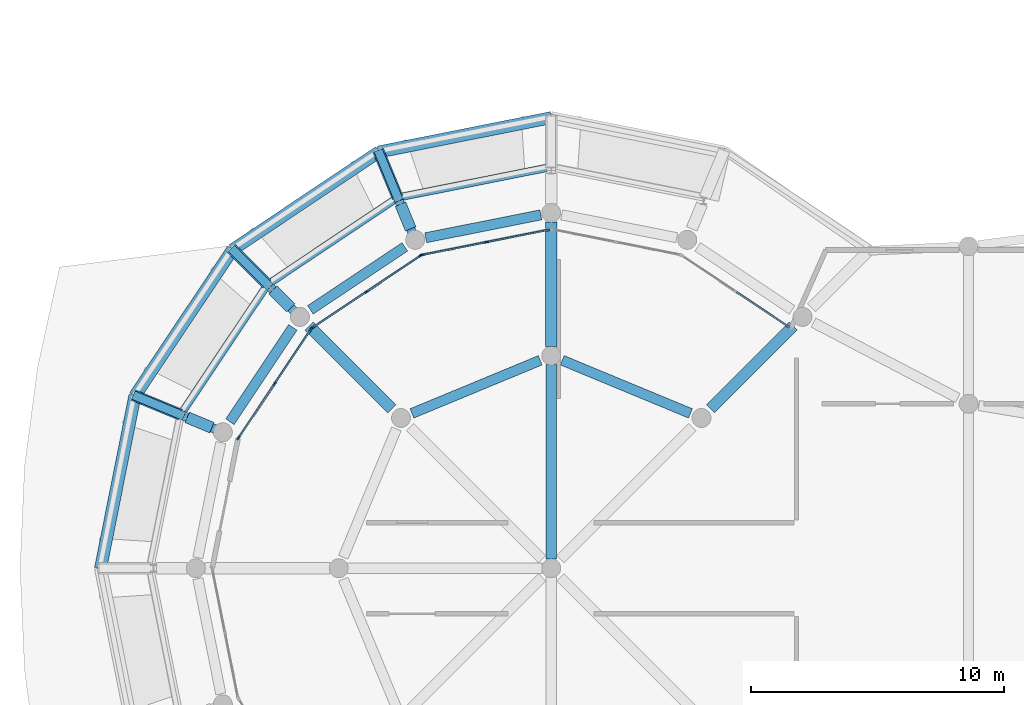
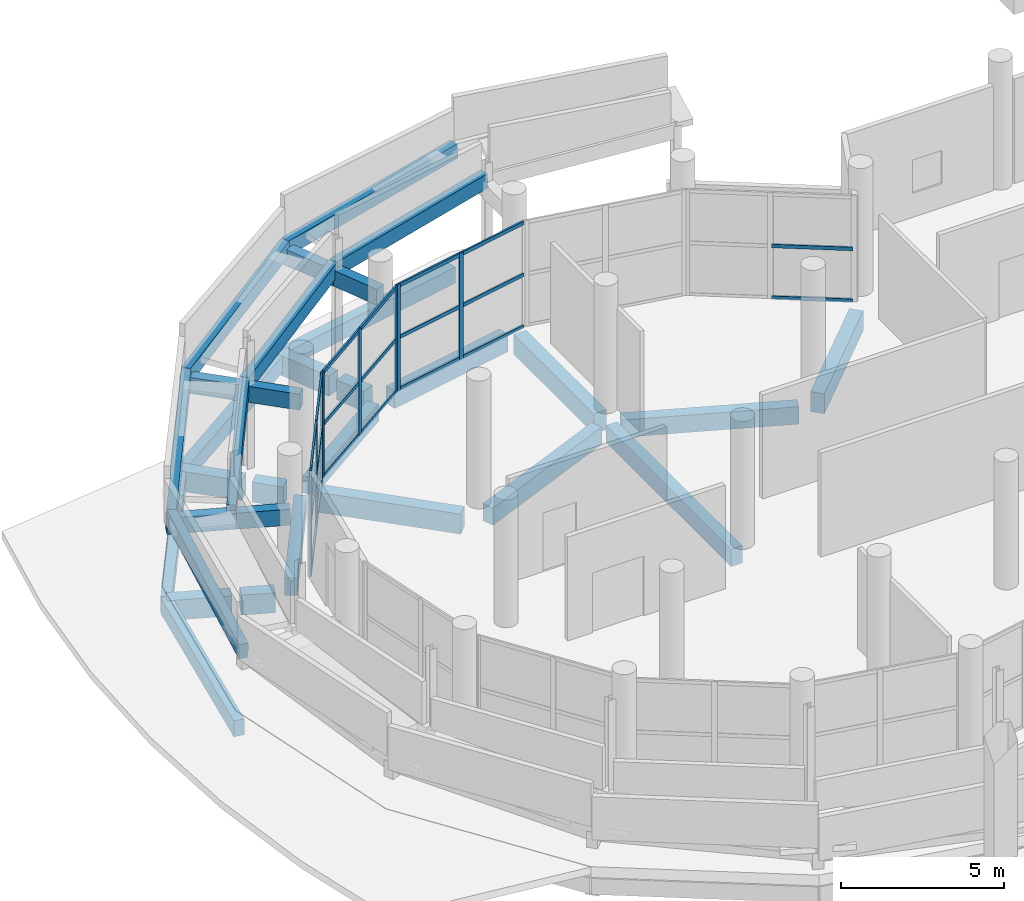
# One storey, part 32 of 117: 32 beams, 28 members, 4 elements without a shape of their own.
"""IFC4 building model written with IfcOpenShell, lengths in metres."""

from ifc_helpers import new_model, si_unit, direction, frame, origin, origin_2d, place, context, subcontext, project, spatial, rectangle, extrude, material, layer, layer_set, material_profile, profile_set, type_object, element, aggregate, save


model = new_model("IFC4")

# Units and contexts
model_context = context("Model", 3, precision=1e-05, world=origin(), true_north=direction((0.0, 1.0)))
body_context = subcontext(model_context, "Body", "Model", "MODEL_VIEW")
ifc_project = project(units=[si_unit("LENGTHUNIT", "METRE"), si_unit("AREAUNIT", "SQUARE_METRE"), si_unit("VOLUMEUNIT", "CUBIC_METRE"), si_unit("PLANEANGLEUNIT", "RADIAN"), si_unit("MASSUNIT", "GRAM", prefix="KILO")], contexts=[model_context])

# Site, building, storey
site_placement = place(None, origin())
site = spatial("IfcSite", under=ifc_project, at=site_placement, CompositionType="ELEMENT")
building_placement = place(site_placement, origin())
building = spatial("IfcBuilding", under=site, at=building_placement, Name="Jelvoka-Kovrelna Polytechnic", CompositionType="ELEMENT")
storey_placement = place(building_placement, origin())
storey = spatial("IfcBuildingStorey", under=building, at=storey_placement, Name="L01", CompositionType="ELEMENT", Elevation=0.0)

# Beams
ifc_material_1 = material(Name="Concrete C35/45", Category="concrete")
ifc_material_profile_1 = material_profile(ifc_material_1, rectangle(XDim=0.35009765625, YDim=0.60009765625, at=origin_2d()), Name="RC 350x600")
ifc_profile_set_1 = profile_set([ifc_material_profile_1], Name="Concrete C35/45")
beam_type_1 = type_object("IfcBeamType", Name="Beam_RC_350x600", PredefinedType="BEAM", material=ifc_profile_set_1)
beam_1_placement = place(storey_placement, frame((12.51953125, 47.876708984375, 2.35498046875), z_axis=(-0.923870731357, 0.38270467954, 0.0), x_axis=(-0.38270467954, -0.923870731357, 0.0)))
element("IfcBeam", 1, at=beam_1_placement, inside=storey, type_object=beam_type_1, Name="L01 spiral ramp inner tie beam 1.5", PredefinedType="BEAM", context=body_context, shape_type="SweptSolid", body=[
    extrude(rectangle(XDim=0.35009765625, YDim=0.60009765625, at=origin_2d()), origin(), (0.0, 0.0, 1.0), 1.670166015625),
])
beam_2_placement = place(storey_placement, frame((10.9765625, 48.515869140625, 2.35498046875), z_axis=(-0.923910766313, 0.382608018592, 0.0), x_axis=(-0.382608018592, -0.923910766313, 0.0)))
element("IfcBeam", 2, at=beam_2_placement, inside=storey, type_object=beam_type_1, Name="L01 spiral ramp cantilever bracket 1.5", PredefinedType="BEAM", context=body_context, shape_type="SweptSolid", body=[
    extrude(rectangle(XDim=0.35009765625, YDim=0.60009765625, at=origin_2d()), origin(), (0.0, 0.0, 1.0), 2.159912109375),
])
beam_3_placement = place(storey_placement, frame((15.565185546875, 52.434814453125, 2.8349609375), z_axis=(-0.707106781187, 0.707106781187, 0.0), x_axis=(-0.707106781187, -0.707106781187, 0.0)))
element("IfcBeam", 3, at=beam_3_placement, inside=storey, type_object=beam_type_1, Name="L01 spiral ramp inner tie beam 1.4", PredefinedType="BEAM", context=body_context, shape_type="SweptSolid", body=[
    extrude(rectangle(XDim=0.35009765625, YDim=0.60009765625, at=origin_2d()), origin(), (0.0, 0.0, 1.0), 1.670166015625),
])
beam_4_placement = place(storey_placement, frame((14.38427734375, 53.61572265625, 2.8349609375), z_axis=(-0.707106781187, 0.707106781187, 0.0), x_axis=(-0.707106781187, -0.707106781187, 0.0)))
element("IfcBeam", 4, at=beam_4_placement, inside=storey, type_object=beam_type_1, Name="L01 spiral ramp cantilever bracket 1.4", PredefinedType="BEAM", context=body_context, shape_type="SweptSolid", body=[
    extrude(rectangle(XDim=0.35009765625, YDim=0.60009765625, at=origin_2d()), origin(), (0.0, 0.0, 1.0), 2.159912109375),
])
beam_5_placement = place(storey_placement, frame((20.123291015625, 55.48046875, 3.31494140625), z_axis=(-0.38270467954, 0.923870731357, 0.0), x_axis=(-0.923870731357, -0.38270467954, 0.0)))
element("IfcBeam", 5, at=beam_5_placement, inside=storey, type_object=beam_type_1, Name="L01 spiral ramp inner tie beam 1.3", PredefinedType="BEAM", context=body_context, shape_type="SweptSolid", body=[
    extrude(rectangle(XDim=0.35009765625, YDim=0.60009765625, at=origin_2d()), origin(), (0.0, 0.0, 1.0), 1.670166015625),
])
beam_6_placement = place(storey_placement, frame((19.484130859375, 57.0234375, 3.31494140625), z_axis=(-0.382608018592, 0.923910766313, 0.0), x_axis=(-0.923910766313, -0.382608018592, 0.0)))
element("IfcBeam", 6, at=beam_6_placement, inside=storey, type_object=beam_type_1, Name="L01 spiral ramp cantilever bracket 1.3", PredefinedType="BEAM", context=body_context, shape_type="SweptSolid", body=[
    extrude(rectangle(XDim=0.35009765625, YDim=0.60009765625, at=origin_2d()), origin(), (0.0, 0.0, 1.0), 2.159912109375),
])
ifc_material_2 = material(Name="Concrete C40/50", Category="concrete")
ifc_material_profile_2 = material_profile(ifc_material_2, rectangle(XDim=0.39990234375, YDim=0.64990234375, at=origin_2d()), Name="RC 400x650")
ifc_profile_set_2 = profile_set([ifc_material_profile_2], Name="Concrete C40/50")
beam_type_2 = type_object("IfcBeamType", Name="Beam_RC_400x650", PredefinedType="BEAM", material=ifc_profile_set_2)
beam_7_placement = place(storey_placement, frame((25.5, 42.85498046875, -0.72998046875), z_axis=(0.0, 1.0, 0.0), x_axis=(-1.0, 0.0, 0.0)))
element("IfcBeam", 7, at=beam_7_placement, inside=storey, type_object=beam_type_2, Name="L01 beam 2319", PredefinedType="BEAM", context=body_context, shape_type="SweptSolid", body=[
    extrude(rectangle(XDim=0.39990234375, YDim=0.64990234375, at=origin_2d()), origin(), (0.0, 0.0, 1.0), 7.68994140625),
])
for number, where, z_axis, x_axis, name in (
    (8, (31.005615234375, 48.619384765625, -0.72998046875), (-0.923871015002, 0.382703994805, 0.0), (-0.382703994805, -0.923871015002, 0.0), "L01 beam 2331"),
    (9, (25.06591796875, 50.72021484375, -0.72998046875), (-0.923871015002, -0.382703994805, 0.0), (0.382703994805, -0.923871015002, 0.0), "L01 beam 2332"),
):
    element("IfcBeam", number, at=place(storey_placement, frame(where, z_axis=z_axis, x_axis=x_axis)), inside=storey, type_object=beam_type_2, Name=name, PredefinedType="BEAM", context=body_context, shape_type="SweptSolid", body=[
        extrude(rectangle(XDim=0.39990234375, YDim=0.64990234375, at=origin_2d()), origin(), (0.0, 0.0, 1.0), 5.489501953125),
    ])
beam_8_placement = place(storey_placement, frame((25.087158203125, 56.468017578125, -0.72998046875), z_axis=(-0.980774461066, -0.195144706619, 0.0), x_axis=(0.195144706619, -0.980774461066, 0.0)))
element("IfcBeam", 10, at=beam_8_placement, inside=storey, type_object=beam_type_2, Name="L01 beam 2339", PredefinedType="BEAM", context=body_context, shape_type="SweptSolid", body=[
    extrude(rectangle(XDim=0.39990234375, YDim=0.64990234375, at=origin_2d()), origin(), (0.0, 0.0, 1.0), 4.64013671875),
])
for number, where, z_axis, x_axis, name in (
    (11, (19.70751953125, 55.20263671875, -0.72998046875), (-0.831496756319, -0.55552960698, 0.0), (0.55552960698, -0.831496756319, 0.0), "L01 beam 2340"),
    (12, (15.287109375, 52.01904296875, -0.72998046875), (-0.55552960698, -0.831496756319, 0.0), (0.831496756319, -0.55552960698, 0.0), "L01 beam 2341"),
):
    element("IfcBeam", number, at=place(storey_placement, frame(where, z_axis=z_axis, x_axis=x_axis)), inside=storey, type_object=beam_type_2, Name=name, PredefinedType="BEAM", context=body_context, shape_type="SweptSolid", body=[
        extrude(rectangle(XDim=0.39990234375, YDim=0.64990234375, at=origin_2d()), origin(), (0.0, 0.0, 1.0), 4.481689453125),
    ])
ifc_material_3 = material(Name="Concrete C40/50", Category="concrete")
ifc_material_profile_3 = material_profile(ifc_material_3, rectangle(XDim=0.449951171875, YDim=0.75, at=origin_2d()), Name="RC 450x750")
ifc_profile_set_3 = profile_set([ifc_material_profile_3], Name="Concrete C40/50")
beam_type_3 = type_object("IfcBeamType", Name="Beam_RC_450x750", PredefinedType="BEAM", material=ifc_profile_set_3)
beam_9_placement = place(storey_placement, frame((31.800537109375, 48.800537109375, -0.780029296875), z_axis=(0.707106781187, 0.707106781187, 0.0), x_axis=(-0.707106781187, 0.707106781187, 0.0)))
element("IfcBeam", 13, at=beam_9_placement, inside=storey, type_object=beam_type_3, Name="L01 beam 2318", PredefinedType="BEAM", context=body_context, shape_type="SweptSolid", body=[
    extrude(rectangle(XDim=0.449951171875, YDim=0.75, at=origin_2d()), origin(), (0.0, 0.0, 1.0), 4.62939453125),
])
beam_10_placement = place(storey_placement, frame((25.5, 51.2548828125, -0.780029296875), z_axis=(0.0, 1.0, 0.0), x_axis=(-1.0, 0.0, 0.0)))
element("IfcBeam", 14, at=beam_10_placement, inside=storey, type_object=beam_type_3, Name="L01 beam 2320", PredefinedType="BEAM", context=body_context, shape_type="SweptSolid", body=[
    extrude(rectangle(XDim=0.449951171875, YDim=0.75, at=origin_2d()), origin(), (0.0, 0.0, 1.0), 4.940185546875),
])
beam_11_placement = place(storey_placement, frame((19.199462890625, 48.800537109375, -0.780029296875), z_axis=(-0.707106781187, 0.707106781187, 0.0), x_axis=(-0.707106781187, -0.707106781187, 0.0)))
element("IfcBeam", 15, at=beam_11_placement, inside=storey, type_object=beam_type_3, Name="L01 beam 2322", PredefinedType="BEAM", context=body_context, shape_type="SweptSolid", body=[
    extrude(rectangle(XDim=0.449951171875, YDim=0.75, at=origin_2d()), origin(), (0.0, 0.0, 1.0), 4.62939453125),
])
beam_12_placement = place(storey_placement, frame((19.943603515625, 55.914794921875, -0.780029296875), z_axis=(-0.382822216634, 0.923822033971, 0.0), x_axis=(-0.923822033971, -0.382822216634, 0.0)))
element("IfcBeam", 16, at=beam_12_placement, inside=storey, type_object=beam_type_3, Name="L01 beam 2354", PredefinedType="BEAM", context=body_context, shape_type="SweptSolid", body=[
    extrude(rectangle(XDim=0.449951171875, YDim=0.75, at=origin_2d()), origin(), (0.0, 0.0, 1.0), 1.05419921875),
])
beam_13_placement = place(storey_placement, frame((19.428466796875, 57.158203125, -0.780029296875), z_axis=(-0.38266938507, 0.923885350966, 0.0), x_axis=(-0.923885350966, -0.38266938507, 0.0)))
element("IfcBeam", 17, at=beam_13_placement, inside=storey, type_object=beam_type_3, Name="L01 beam 2355", PredefinedType="BEAM", context=body_context, shape_type="SweptSolid", body=[
    extrude(rectangle(XDim=0.449951171875, YDim=0.75, at=origin_2d()), origin(), (0.0, 0.0, 1.0), 2.01416015625),
])
beam_14_placement = place(storey_placement, frame((15.2041015625, 52.7958984375, -0.780029296875), z_axis=(-0.707106781187, 0.707106781187, 0.0), x_axis=(-0.707106781187, -0.707106781187, 0.0)))
element("IfcBeam", 18, at=beam_14_placement, inside=storey, type_object=beam_type_3, Name="L01 beam 2356", PredefinedType="BEAM", context=body_context, shape_type="SweptSolid", body=[
    extrude(rectangle(XDim=0.449951171875, YDim=0.75, at=origin_2d()), origin(), (0.0, 0.0, 1.0), 0.99951171875),
])
beam_15_placement = place(storey_placement, frame((14.271484375, 53.728515625, -0.780029296875), z_axis=(-0.707106781187, 0.707106781187, 0.0), x_axis=(-0.707106781187, -0.707106781187, 0.0)))
element("IfcBeam", 19, at=beam_15_placement, inside=storey, type_object=beam_type_3, Name="L01 beam 2357", PredefinedType="BEAM", context=body_context, shape_type="SweptSolid", body=[
    extrude(rectangle(XDim=0.449951171875, YDim=0.75, at=origin_2d()), origin(), (0.0, 0.0, 1.0), 2.00048828125),
])
beam_16_placement = place(storey_placement, frame((12.085205078125, 48.056396484375, -0.780029296875), z_axis=(-0.923822033971, 0.382822216634, 0.0), x_axis=(-0.382822216634, -0.923822033971, 0.0)))
element("IfcBeam", 20, at=beam_16_placement, inside=storey, type_object=beam_type_3, Name="L01 beam 2358", PredefinedType="BEAM", context=body_context, shape_type="SweptSolid", body=[
    extrude(rectangle(XDim=0.449951171875, YDim=0.75, at=origin_2d()), origin(), (0.0, 0.0, 1.0), 1.05419921875),
])
beam_17_placement = place(storey_placement, frame((10.841796875, 48.571533203125, -0.780029296875), z_axis=(-0.923885350966, 0.38266938507, 0.0), x_axis=(-0.38266938507, -0.923885350966, 0.0)))
element("IfcBeam", 21, at=beam_17_placement, inside=storey, type_object=beam_type_3, Name="L01 beam 2359", PredefinedType="BEAM", context=body_context, shape_type="SweptSolid", body=[
    extrude(rectangle(XDim=0.449951171875, YDim=0.75, at=origin_2d()), origin(), (0.0, 0.0, 1.0), 2.01416015625),
])

# Curtain wall, members
ifc_material_4 = material(Name="Anodised aluminium 6063-T6", Category="aluminium")
ifc_layer = layer(ifc_material_4, 0.179931640625)
ifc_layer_set = layer_set([ifc_layer], Name="Anodised aluminium 6063-T6")
curtain_wall_type = type_object("IfcCurtainWallType", Name="CW_Pavilion", PredefinedType="NOTDEFINED", material=ifc_layer_set)
curtain_wall_1_placement = place(storey_placement, origin())
curtain_wall_1 = element("IfcCurtainWall", 22, at=curtain_wall_1_placement, inside=storey, type_object=curtain_wall_type, Name="L01 glazed curtain wall 213", PredefinedType="NOTDEFINED")
ifc_material_5 = material(Name="Anodised aluminium 6063-T6", Category="aluminium")
ifc_material_profile_4 = material_profile(ifc_material_5, rectangle(XDim=0.06494140625, YDim=0.179931640625, at=origin_2d()), Name="ALU 65x180")
ifc_profile_set_4 = profile_set([ifc_material_profile_4], Name="Anodised aluminium 6063-T6")
member_type_1 = type_object("IfcMemberType", Name="Mullion_M-05", PredefinedType="MULLION", material=ifc_profile_set_4)
member_1_placement = place(storey_placement, frame((20.40380859375, 54.88623046875, -0.02490234375), z_axis=(0.0, 0.0, 1.0), x_axis=(-0.195086160371, 0.980786108197, 0.0)))
member_1 = element("IfcMember", 23, at=member_1_placement, type_object=member_type_1, Name="CW-05 mullion 1", PredefinedType="MULLION", context=body_context, shape_type="SweptSolid", body=[
    extrude(rectangle(XDim=0.06494140625, YDim=0.179931640625, at=origin_2d()), origin(), (0.0, 0.0, 1.0), 4.0),
])
member_2_placement = place(storey_placement, frame((22.93603515625, 55.389892578125, -0.02490234375), z_axis=(0.0, 0.0, 1.0), x_axis=(-0.195086160371, 0.980786108197, 0.0)))
member_2 = element("IfcMember", 24, at=member_2_placement, type_object=member_type_1, Name="CW-05 mullion 2", PredefinedType="MULLION", context=body_context, shape_type="SweptSolid", body=[
    extrude(rectangle(XDim=0.06494140625, YDim=0.179931640625, at=origin_2d()), origin(), (0.0, 0.0, 1.0), 4.0),
])

curtain_wall_2_placement = place(storey_placement, origin())
curtain_wall_2 = element("IfcCurtainWall", 25, at=curtain_wall_2_placement, inside=storey, type_object=curtain_wall_type, Name="L01 glazed curtain wall 214", PredefinedType="NOTDEFINED")
member_3_placement = place(storey_placement, frame((16.0517578125, 51.9931640625, -0.02490234375), z_axis=(0.0, 0.0, 1.0), x_axis=(-0.555582639326, 0.83146132254, 0.0)))
member_3 = element("IfcMember", 26, at=member_3_placement, type_object=member_type_1, Name="CW-05 mullion 1", PredefinedType="MULLION", context=body_context, shape_type="SweptSolid", body=[
    extrude(rectangle(XDim=0.06494140625, YDim=0.179931640625, at=origin_2d()), origin(), (0.0, 0.0, 1.0), 4.0),
])
member_4_placement = place(storey_placement, frame((18.198486328125, 53.427490234375, -0.02490234375), z_axis=(0.0, 0.0, 1.0), x_axis=(-0.555582639326, 0.83146132254, 0.0)))
member_4 = element("IfcMember", 27, at=member_4_placement, type_object=member_type_1, Name="CW-05 mullion 2", PredefinedType="MULLION", context=body_context, shape_type="SweptSolid", body=[
    extrude(rectangle(XDim=0.06494140625, YDim=0.179931640625, at=origin_2d()), origin(), (0.0, 0.0, 1.0), 4.0),
])
member_5_placement = place(storey_placement, frame((20.344970703125, 54.862060546875, -0.02490234375), z_axis=(0.0, 0.0, 1.0), x_axis=(-0.555582639326, 0.83146132254, 0.0)))
member_5 = element("IfcMember", 28, at=member_5_placement, type_object=member_type_1, Name="CW-05 mullion 3", PredefinedType="MULLION", context=body_context, shape_type="SweptSolid", body=[
    extrude(rectangle(XDim=0.06494140625, YDim=0.179931640625, at=origin_2d()), origin(), (0.0, 0.0, 1.0), 4.0),
])

curtain_wall_3_placement = place(storey_placement, origin())
curtain_wall_3 = element("IfcCurtainWall", 29, at=curtain_wall_3_placement, inside=storey, type_object=curtain_wall_type, Name="L01 glazed curtain wall 215", PredefinedType="NOTDEFINED")
member_6_placement = place(storey_placement, frame((13.137939453125, 47.655029296875, -0.02490234375), z_axis=(0.0, 0.0, 1.0), x_axis=(-0.83146132254, 0.555582639326, 0.0)))
member_6 = element("IfcMember", 30, at=member_6_placement, type_object=member_type_1, Name="CW-05 mullion 1", PredefinedType="MULLION", context=body_context, shape_type="SweptSolid", body=[
    extrude(rectangle(XDim=0.06494140625, YDim=0.179931640625, at=origin_2d()), origin(), (0.0, 0.0, 1.0), 4.0),
])
member_7_placement = place(storey_placement, frame((14.572509765625, 49.801513671875, -0.02490234375), z_axis=(0.0, 0.0, 1.0), x_axis=(-0.83146132254, 0.555582639326, 0.0)))
member_7 = element("IfcMember", 31, at=member_7_placement, type_object=member_type_1, Name="CW-05 mullion 2", PredefinedType="MULLION", context=body_context, shape_type="SweptSolid", body=[
    extrude(rectangle(XDim=0.06494140625, YDim=0.179931640625, at=origin_2d()), origin(), (0.0, 0.0, 1.0), 4.0),
])
member_8_placement = place(storey_placement, frame((16.0068359375, 51.9482421875, -0.02490234375), z_axis=(0.0, 0.0, 1.0), x_axis=(-0.83146132254, 0.555582639326, 0.0)))
member_8 = element("IfcMember", 32, at=member_8_placement, type_object=member_type_1, Name="CW-05 mullion 3", PredefinedType="MULLION", context=body_context, shape_type="SweptSolid", body=[
    extrude(rectangle(XDim=0.06494140625, YDim=0.179931640625, at=origin_2d()), origin(), (0.0, 0.0, 1.0), 4.0),
])

# Beams
ifc_material_6 = material(Name="Concrete C40/50", Category="concrete")
ifc_material_profile_5 = material_profile(ifc_material_6, rectangle(XDim=0.300048828125, YDim=0.550048828125, at=origin_2d()), Name="RC 300x550")
ifc_profile_set_5 = profile_set([ifc_material_profile_5], Name="Concrete C40/50")
beam_type_4 = type_object("IfcBeamType", Name="Spandrel_RC_300x550", PredefinedType="SPANDREL", material=ifc_profile_set_5)
beam_18_placement = place(storey_placement, frame((7.780029296875, 42.5, 2.125), z_axis=(0.194622265834, 0.978430417341, 0.069253823462), x_axis=(-0.980785212274, 0.195090664524, 0.0)))
element("IfcBeam", 33, at=beam_18_placement, inside=storey, type_object=beam_type_4, Name="L01 spiral ramp curved outer stringer 1.6", PredefinedType="SPANDREL", context=body_context, shape_type="SweptSolid", body=[
    extrude(rectangle(XDim=0.300048828125, YDim=0.550048828125, at=origin_2d()), origin(), (0.0, 0.0, 1.0), 6.9306640625),
])
beam_19_placement = place(storey_placement, frame((9.12890625, 49.28125, 2.60498046875), z_axis=(0.554262207017, 0.829455823466, 0.069256355599), x_axis=(-0.831452226772, 0.555596251424, 0.0)))
element("IfcBeam", 34, at=beam_19_placement, inside=storey, type_object=beam_type_4, Name="L01 spiral ramp curved outer stringer 1.5", PredefinedType="SPANDREL", context=body_context, shape_type="SweptSolid", body=[
    extrude(rectangle(XDim=0.300048828125, YDim=0.550048828125, at=origin_2d()), origin(), (0.0, 0.0, 1.0), 6.930419921875),
])
beam_20_placement = place(storey_placement, frame((10.847412109375, 48.5693359375, 2.60498046875), z_axis=(0.553910202908, 0.828977242315, 0.077331874657), x_axis=(-0.831467148194, 0.555573920801, 0.0)))
element("IfcBeam", 35, at=beam_20_placement, inside=storey, type_object=beam_type_4, Name="L01 spiral ramp curved inner stringer 1.5", PredefinedType="SPANDREL", context=body_context, shape_type="SweptSolid", body=[
    extrude(rectangle(XDim=0.300048828125, YDim=0.550048828125, at=origin_2d()), origin(), (0.0, 0.0, 1.0), 6.206787109375),
])
beam_21_placement = place(storey_placement, frame((12.97021484375, 55.02978515625, 3.0849609375), z_axis=(0.829455823466, 0.554262207017, 0.069256355599), x_axis=(-0.555596251424, 0.831452226772, 0.0)))
element("IfcBeam", 36, at=beam_21_placement, inside=storey, type_object=beam_type_4, Name="L01 spiral ramp curved outer stringer 1.4", PredefinedType="SPANDREL", context=body_context, shape_type="SweptSolid", body=[
    extrude(rectangle(XDim=0.300048828125, YDim=0.550048828125, at=origin_2d()), origin(), (0.0, 0.0, 1.0), 6.930419921875),
])
beam_22_placement = place(storey_placement, frame((14.285400390625, 53.714599609375, 3.0849609375), z_axis=(0.828977242315, 0.553910202908, 0.077331874657), x_axis=(-0.555573920801, 0.831467148194, 0.0)))
element("IfcBeam", 37, at=beam_22_placement, inside=storey, type_object=beam_type_4, Name="L01 spiral ramp curved inner stringer 1.4", PredefinedType="SPANDREL", context=body_context, shape_type="SweptSolid", body=[
    extrude(rectangle(XDim=0.300048828125, YDim=0.550048828125, at=origin_2d()), origin(), (0.0, 0.0, 1.0), 6.206787109375),
])
beam_23_placement = place(storey_placement, frame((18.71875, 58.87109375, 3.56494140625), z_axis=(0.978430417341, 0.194622265834, 0.069253823462), x_axis=(-0.195090664524, 0.980785212274, 0.0)))
element("IfcBeam", 38, at=beam_23_placement, inside=storey, type_object=beam_type_4, Name="L01 spiral ramp curved outer stringer 1.3", PredefinedType="SPANDREL", context=body_context, shape_type="SweptSolid", body=[
    extrude(rectangle(XDim=0.300048828125, YDim=0.550048828125, at=origin_2d()), origin(), (0.0, 0.0, 1.0), 6.9306640625),
])
beam_24_placement = place(storey_placement, frame((19.4306640625, 57.152587890625, 3.56494140625), z_axis=(0.977840520324, 0.194545422909, 0.07733042892), x_axis=(-0.195129735209, 0.980777439808, 0.0)))
element("IfcBeam", 39, at=beam_24_placement, inside=storey, type_object=beam_type_4, Name="L01 spiral ramp curved inner stringer 1.3", PredefinedType="SPANDREL", context=body_context, shape_type="SweptSolid", body=[
    extrude(rectangle(XDim=0.300048828125, YDim=0.550048828125, at=origin_2d()), origin(), (0.0, 0.0, 1.0), 6.206787109375),
])
ifc_material_7 = material(Name="Concrete C40/50", Category="concrete")
ifc_material_profile_6 = material_profile(ifc_material_7, rectangle(XDim=0.35009765625, YDim=0.60009765625, at=origin_2d()), Name="RC 350x600")
ifc_profile_set_6 = profile_set([ifc_material_profile_6], Name="Concrete C40/50")
beam_type_5 = type_object("IfcBeamType", Name="Spandrel_RC_350x600", PredefinedType="SPANDREL", material=ifc_profile_set_6)
beam_25_placement = place(storey_placement, frame((25.5, 60.3798828125, -0.705078125), z_axis=(-0.98079008799, -0.19506615109, 0.0), x_axis=(0.19506615109, -0.98079008799, 0.0)))
element("IfcBeam", 40, at=beam_25_placement, inside=storey, type_object=beam_type_5, Name="L01 beam 2375", PredefinedType="SPANDREL", context=body_context, shape_type="SweptSolid", body=[
    extrude(rectangle(XDim=0.35009765625, YDim=0.60009765625, at=origin_2d()), origin(), (0.0, 0.0, 1.0), 6.976318359375),
])
for number, where, z_axis, x_axis, name in (
    (41, (18.65771484375, 59.01904296875, -0.705078125), (-0.831468390799, -0.555572061125, 0.0), (0.555572061125, -0.831468390799, 0.0), "L01 beam 2376"),
    (42, (12.85693359375, 55.14306640625, -0.705078125), (-0.555572061125, -0.831468390799, 0.0), (0.831468390799, -0.555572061125, 0.0), "L01 beam 2377"),
):
    element("IfcBeam", number, at=place(storey_placement, frame(where, z_axis=z_axis, x_axis=x_axis)), inside=storey, type_object=beam_type_5, Name=name, PredefinedType="SPANDREL", context=body_context, shape_type="SweptSolid", body=[
        extrude(rectangle(XDim=0.35009765625, YDim=0.60009765625, at=origin_2d()), origin(), (0.0, 0.0, 1.0), 6.9765625),
    ])
beam_26_placement = place(storey_placement, frame((8.98095703125, 49.34228515625, -0.705078125), z_axis=(-0.19506615109, -0.98079008799, 0.0), x_axis=(0.98079008799, -0.19506615109, 0.0)))
element("IfcBeam", 43, at=beam_26_placement, inside=storey, type_object=beam_type_5, Name="L01 beam 2378", PredefinedType="SPANDREL", context=body_context, shape_type="SweptSolid", body=[
    extrude(rectangle(XDim=0.35009765625, YDim=0.60009765625, at=origin_2d()), origin(), (0.0, 0.0, 1.0), 6.976318359375),
])

# Curtain wall, members
curtain_wall_4_placement = place(storey_placement, origin())
curtain_wall_4 = element("IfcCurtainWall", 44, at=curtain_wall_4_placement, inside=storey, type_object=curtain_wall_type, Name="L01 glazed curtain wall 211", PredefinedType="NOTDEFINED")
ifc_material_8 = material(Name="Anodised aluminium 6063-T6", Category="aluminium")
ifc_material_profile_7 = material_profile(ifc_material_8, rectangle(XDim=0.06494140625, YDim=0.135009765625, at=origin_2d()), Name="ALU 65x135")
ifc_profile_set_7 = profile_set([ifc_material_profile_7], Name="Anodised aluminium 6063-T6")
member_type_2 = type_object("IfcMemberType", Name="Transom_T-05", PredefinedType="USERDEFINED", material=ifc_profile_set_7)
member_9_placement = place(storey_placement, frame((32.82861328125, 53.409423828125, 0.032470703125), z_axis=(0.831467779718, -0.555572975667, 0.0), x_axis=(0.555572975667, 0.831467779718, 0.0)))
member_9 = element("IfcMember", 45, at=member_9_placement, type_object=member_type_2, Name="CW-05 transom 2.1", ObjectType="TRANSOM", PredefinedType="USERDEFINED", context=body_context, shape_type="SweptSolid", body=[
    extrude(rectangle(XDim=0.06494140625, YDim=0.135009765625, at=origin_2d()), origin(), (0.0, 0.0, 1.0), 2.5166015625),
])
member_10_placement = place(storey_placement, frame((32.82861328125, 53.409423828125, 1.97509765625), z_axis=(0.831467779718, -0.555572975667, 0.0), x_axis=(0.555572975667, 0.831467779718, 0.0)))
member_10 = element("IfcMember", 46, at=member_10_placement, type_object=member_type_2, Name="CW-05 transom 2.2", ObjectType="TRANSOM", PredefinedType="USERDEFINED", context=body_context, shape_type="SweptSolid", body=[
    extrude(rectangle(XDim=0.06494140625, YDim=0.135009765625, at=origin_2d()), origin(), (0.0, 0.0, 1.0), 2.5166015625),
])
aggregate(curtain_wall_4, [member_9, member_10])

# Member
member_11_placement = place(storey_placement, frame((20.435791015625, 54.892578125, 0.032470703125), z_axis=(0.980785355287, 0.195089945547, 0.0), x_axis=(-0.195089945547, 0.980785355287, 0.0)))
member_11 = element("IfcMember", 47, at=member_11_placement, type_object=member_type_2, Name="CW-05 transom 1.1", ObjectType="TRANSOM", PredefinedType="USERDEFINED", context=body_context, shape_type="SweptSolid", body=[
    extrude(rectangle(XDim=0.06494140625, YDim=0.135009765625, at=origin_2d()), origin(), (0.0, 0.0, 1.0), 2.5166015625),
])

member_12_placement = place(storey_placement, frame((20.435791015625, 54.892578125, 1.97509765625), z_axis=(0.980785355287, 0.195089945547, 0.0), x_axis=(-0.195089945547, 0.980785355287, 0.0)))
member_12 = element("IfcMember", 48, at=member_12_placement, type_object=member_type_2, Name="CW-05 transom 1.2", ObjectType="TRANSOM", PredefinedType="USERDEFINED", context=body_context, shape_type="SweptSolid", body=[
    extrude(rectangle(XDim=0.06494140625, YDim=0.135009765625, at=origin_2d()), origin(), (0.0, 0.0, 1.0), 2.5166015625),
])

member_13_placement = place(storey_placement, frame((20.435791015625, 54.892578125, 3.91748046875), z_axis=(0.980785355287, 0.195089945547, 0.0), x_axis=(-0.195089945547, 0.980785355287, 0.0)))
member_13 = element("IfcMember", 49, at=member_13_placement, type_object=member_type_2, Name="CW-05 transom 1.3", ObjectType="TRANSOM", PredefinedType="USERDEFINED", context=body_context, shape_type="SweptSolid", body=[
    extrude(rectangle(XDim=0.06494140625, YDim=0.135009765625, at=origin_2d()), origin(), (0.0, 0.0, 1.0), 2.5166015625),
])

member_14_placement = place(storey_placement, frame((22.9677734375, 55.396240234375, 0.032470703125), z_axis=(0.980789047023, 0.195071384983, 0.0), x_axis=(-0.195071384983, 0.980789047023, 0.0)))
member_14 = element("IfcMember", 50, at=member_14_placement, type_object=member_type_2, Name="CW-05 transom 2.1", ObjectType="TRANSOM", PredefinedType="USERDEFINED", context=body_context, shape_type="SweptSolid", body=[
    extrude(rectangle(XDim=0.06494140625, YDim=0.135009765625, at=origin_2d()), origin(), (0.0, 0.0, 1.0), 2.516845703125),
])

member_15_placement = place(storey_placement, frame((22.9677734375, 55.396240234375, 1.97509765625), z_axis=(0.980789047023, 0.195071384983, 0.0), x_axis=(-0.195071384983, 0.980789047023, 0.0)))
member_15 = element("IfcMember", 51, at=member_15_placement, type_object=member_type_2, Name="CW-05 transom 2.2", ObjectType="TRANSOM", PredefinedType="USERDEFINED", context=body_context, shape_type="SweptSolid", body=[
    extrude(rectangle(XDim=0.06494140625, YDim=0.135009765625, at=origin_2d()), origin(), (0.0, 0.0, 1.0), 2.516845703125),
])

member_16_placement = place(storey_placement, frame((22.9677734375, 55.396240234375, 3.91748046875), z_axis=(0.980789047023, 0.195071384983, 0.0), x_axis=(-0.195071384983, 0.980789047023, 0.0)))
member_16 = element("IfcMember", 52, at=member_16_placement, type_object=member_type_2, Name="CW-05 transom 2.3", ObjectType="TRANSOM", PredefinedType="USERDEFINED", context=body_context, shape_type="SweptSolid", body=[
    extrude(rectangle(XDim=0.06494140625, YDim=0.135009765625, at=origin_2d()), origin(), (0.0, 0.0, 1.0), 2.516845703125),
])

aggregate(curtain_wall_1, [member_1, member_2, member_11, member_12, member_13, member_14, member_15, member_16])

member_17_placement = place(storey_placement, frame((16.078857421875, 52.01123046875, 0.032470703125), z_axis=(0.831467779718, 0.555572975667, 0.0), x_axis=(-0.555572975667, 0.831467779718, 0.0)))
member_17 = element("IfcMember", 53, at=member_17_placement, type_object=member_type_2, Name="CW-05 transom 1.1", ObjectType="TRANSOM", PredefinedType="USERDEFINED", context=body_context, shape_type="SweptSolid", body=[
    extrude(rectangle(XDim=0.06494140625, YDim=0.135009765625, at=origin_2d()), origin(), (0.0, 0.0, 1.0), 2.5166015625),
])

member_18_placement = place(storey_placement, frame((16.078857421875, 52.01123046875, 1.97509765625), z_axis=(0.831467779718, 0.555572975667, 0.0), x_axis=(-0.555572975667, 0.831467779718, 0.0)))
member_18 = element("IfcMember", 54, at=member_18_placement, type_object=member_type_2, Name="CW-05 transom 1.2", ObjectType="TRANSOM", PredefinedType="USERDEFINED", context=body_context, shape_type="SweptSolid", body=[
    extrude(rectangle(XDim=0.06494140625, YDim=0.135009765625, at=origin_2d()), origin(), (0.0, 0.0, 1.0), 2.5166015625),
])

member_19_placement = place(storey_placement, frame((16.078857421875, 52.01123046875, 3.91748046875), z_axis=(0.831467779718, 0.555572975667, 0.0), x_axis=(-0.555572975667, 0.831467779718, 0.0)))
member_19 = element("IfcMember", 55, at=member_19_placement, type_object=member_type_2, Name="CW-05 transom 1.3", ObjectType="TRANSOM", PredefinedType="USERDEFINED", context=body_context, shape_type="SweptSolid", body=[
    extrude(rectangle(XDim=0.06494140625, YDim=0.135009765625, at=origin_2d()), origin(), (0.0, 0.0, 1.0), 2.5166015625),
])

member_20_placement = place(storey_placement, frame((18.225341796875, 53.445556640625, 0.032470703125), z_axis=(0.831422966795, 0.555640036612, 0.0), x_axis=(-0.555640036612, 0.831422966795, 0.0)))
member_20 = element("IfcMember", 56, at=member_20_placement, type_object=member_type_2, Name="CW-05 transom 2.1", ObjectType="TRANSOM", PredefinedType="USERDEFINED", context=body_context, shape_type="SweptSolid", body=[
    extrude(rectangle(XDim=0.06494140625, YDim=0.135009765625, at=origin_2d()), origin(), (0.0, 0.0, 1.0), 2.516845703125),
])

member_21_placement = place(storey_placement, frame((18.225341796875, 53.445556640625, 1.97509765625), z_axis=(0.831422966795, 0.555640036612, 0.0), x_axis=(-0.555640036612, 0.831422966795, 0.0)))
member_21 = element("IfcMember", 57, at=member_21_placement, type_object=member_type_2, Name="CW-05 transom 2.2", ObjectType="TRANSOM", PredefinedType="USERDEFINED", context=body_context, shape_type="SweptSolid", body=[
    extrude(rectangle(XDim=0.06494140625, YDim=0.135009765625, at=origin_2d()), origin(), (0.0, 0.0, 1.0), 2.516845703125),
])

member_22_placement = place(storey_placement, frame((18.225341796875, 53.445556640625, 3.91748046875), z_axis=(0.831422966795, 0.555640036612, 0.0), x_axis=(-0.555640036612, 0.831422966795, 0.0)))
member_22 = element("IfcMember", 58, at=member_22_placement, type_object=member_type_2, Name="CW-05 transom 2.3", ObjectType="TRANSOM", PredefinedType="USERDEFINED", context=body_context, shape_type="SweptSolid", body=[
    extrude(rectangle(XDim=0.06494140625, YDim=0.135009765625, at=origin_2d()), origin(), (0.0, 0.0, 1.0), 2.516845703125),
])

aggregate(curtain_wall_2, [member_3, member_4, member_5, member_17, member_18, member_19, member_20, member_21, member_22])

member_23_placement = place(storey_placement, frame((13.156005859375, 47.68212890625, 0.032470703125), z_axis=(0.555640036612, 0.831422966795, 0.0), x_axis=(-0.831422966795, 0.555640036612, 0.0)))
member_23 = element("IfcMember", 59, at=member_23_placement, type_object=member_type_2, Name="CW-05 transom 1.1", ObjectType="TRANSOM", PredefinedType="USERDEFINED", context=body_context, shape_type="SweptSolid", body=[
    extrude(rectangle(XDim=0.06494140625, YDim=0.135009765625, at=origin_2d()), origin(), (0.0, 0.0, 1.0), 2.516845703125),
])

member_24_placement = place(storey_placement, frame((13.156005859375, 47.68212890625, 1.97509765625), z_axis=(0.555640036612, 0.831422966795, 0.0), x_axis=(-0.831422966795, 0.555640036612, 0.0)))
member_24 = element("IfcMember", 60, at=member_24_placement, type_object=member_type_2, Name="CW-05 transom 1.2", ObjectType="TRANSOM", PredefinedType="USERDEFINED", context=body_context, shape_type="SweptSolid", body=[
    extrude(rectangle(XDim=0.06494140625, YDim=0.135009765625, at=origin_2d()), origin(), (0.0, 0.0, 1.0), 2.516845703125),
])

member_25_placement = place(storey_placement, frame((13.156005859375, 47.68212890625, 3.91748046875), z_axis=(0.555640036612, 0.831422966795, 0.0), x_axis=(-0.831422966795, 0.555640036612, 0.0)))
member_25 = element("IfcMember", 61, at=member_25_placement, type_object=member_type_2, Name="CW-05 transom 1.3", ObjectType="TRANSOM", PredefinedType="USERDEFINED", context=body_context, shape_type="SweptSolid", body=[
    extrude(rectangle(XDim=0.06494140625, YDim=0.135009765625, at=origin_2d()), origin(), (0.0, 0.0, 1.0), 2.516845703125),
])

member_26_placement = place(storey_placement, frame((14.590576171875, 49.82861328125, 0.032470703125), z_axis=(0.555572975667, 0.831467779718, 0.0), x_axis=(-0.831467779718, 0.555572975667, 0.0)))
member_26 = element("IfcMember", 62, at=member_26_placement, type_object=member_type_2, Name="CW-05 transom 2.1", ObjectType="TRANSOM", PredefinedType="USERDEFINED", context=body_context, shape_type="SweptSolid", body=[
    extrude(rectangle(XDim=0.06494140625, YDim=0.135009765625, at=origin_2d()), origin(), (0.0, 0.0, 1.0), 2.5166015625),
])

member_27_placement = place(storey_placement, frame((14.590576171875, 49.82861328125, 1.97509765625), z_axis=(0.555572975667, 0.831467779718, 0.0), x_axis=(-0.831467779718, 0.555572975667, 0.0)))
member_27 = element("IfcMember", 63, at=member_27_placement, type_object=member_type_2, Name="CW-05 transom 2.2", ObjectType="TRANSOM", PredefinedType="USERDEFINED", context=body_context, shape_type="SweptSolid", body=[
    extrude(rectangle(XDim=0.06494140625, YDim=0.135009765625, at=origin_2d()), origin(), (0.0, 0.0, 1.0), 2.5166015625),
])

member_28_placement = place(storey_placement, frame((14.590576171875, 49.82861328125, 3.91748046875), z_axis=(0.555572975667, 0.831467779718, 0.0), x_axis=(-0.831467779718, 0.555572975667, 0.0)))
member_28 = element("IfcMember", 64, at=member_28_placement, type_object=member_type_2, Name="CW-05 transom 2.3", ObjectType="TRANSOM", PredefinedType="USERDEFINED", context=body_context, shape_type="SweptSolid", body=[
    extrude(rectangle(XDim=0.06494140625, YDim=0.135009765625, at=origin_2d()), origin(), (0.0, 0.0, 1.0), 2.5166015625),
])

aggregate(curtain_wall_3, [member_6, member_7, member_8, member_23, member_24, member_25, member_26, member_27, member_28])

save(model, "model.ifc")
